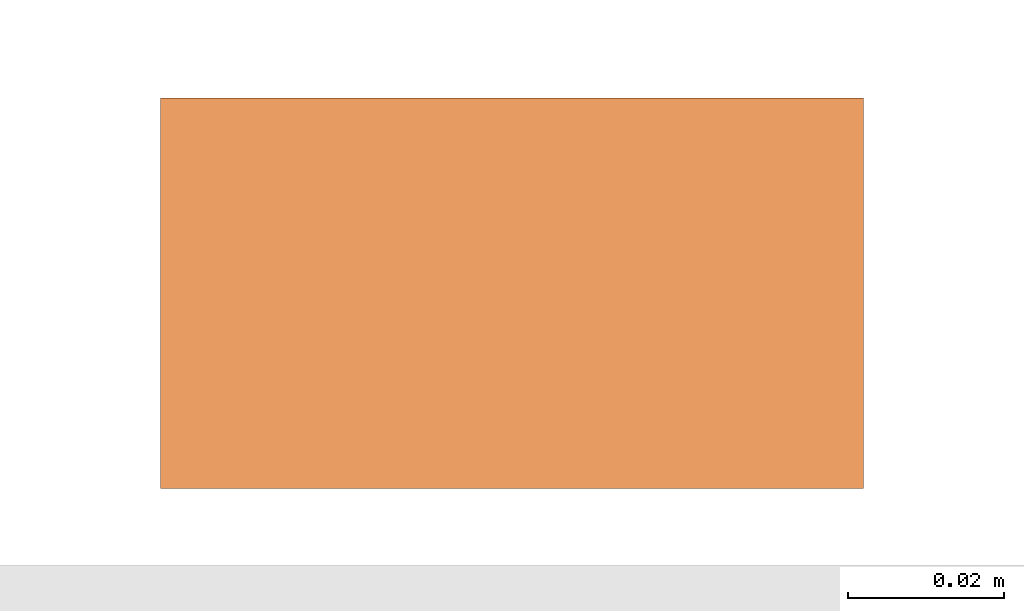
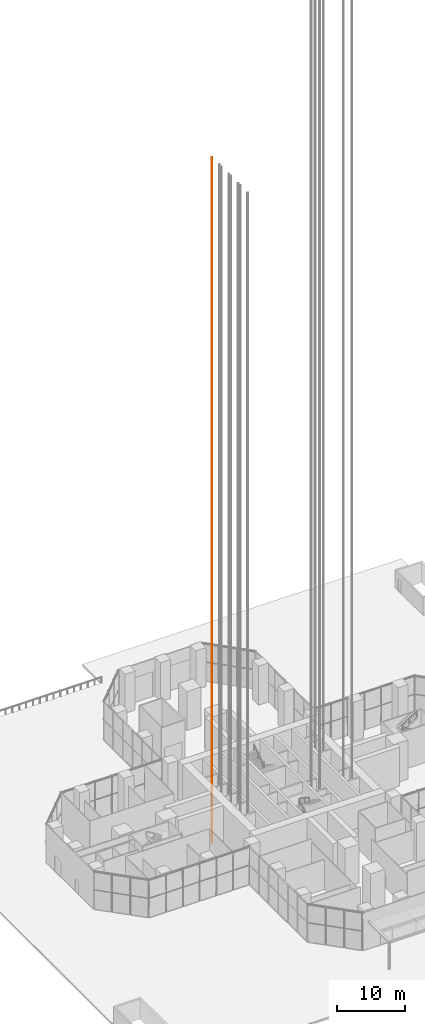
# One storey, part 37 of 43: 1 proxy.
"""IFC4 building model written with IfcOpenShell, lengths in metres."""

from ifc_helpers import new_model, si_unit, direction, frame, origin, origin_2d, place, context, subcontext, project, spatial, rectangle, extrude, material, element, save


model = new_model("IFC4")

# Units and contexts
model_context = context("Model", 3, precision=1e-05, world=origin(), true_north=direction((0.0, 1.0)))
body_context = subcontext(model_context, "Body", "Model", "MODEL_VIEW")
ifc_project = project(units=[si_unit("LENGTHUNIT", "METRE"), si_unit("AREAUNIT", "SQUARE_METRE"), si_unit("VOLUMEUNIT", "CUBIC_METRE"), si_unit("PLANEANGLEUNIT", "RADIAN"), si_unit("MASSUNIT", "GRAM", prefix="KILO")], contexts=[model_context])

# Site, building, storey
site_placement = place(None, origin())
site = spatial("IfcSite", under=ifc_project, at=site_placement, CompositionType="ELEMENT")
building_placement = place(site_placement, origin())
building = spatial("IfcBuilding", under=site, at=building_placement, Name="Mizan Broadcast Tower", CompositionType="ELEMENT")
storey_placement = place(building_placement, origin())
storey = spatial("IfcBuildingStorey", under=building, at=storey_placement, Name="L00", CompositionType="ELEMENT", Elevation=0.0)

# Proxy
ifc_material = material(Name="Steel guide rail", Category="steel")
proxy_placement = place(storey_placement, frame((-8.800048828125, 5.260009765625, -5.0), z_axis=(0.0, 0.0, 1.0), x_axis=(1.0, 0.0, 0.0)))
element("IfcBuildingElementProxy", 1, at=proxy_placement, inside=storey, material=ifc_material, Name="Guide rail LA4-2", PredefinedType="NOTDEFINED", context=body_context, shape_type="SweptSolid", body=[
    extrude(rectangle(XDim=0.090087890625, YDim=0.050048828125, at=origin_2d()), origin(), (0.0, 0.0, 1.0), 122.969970703125),
])

save(model, "model.ifc")
